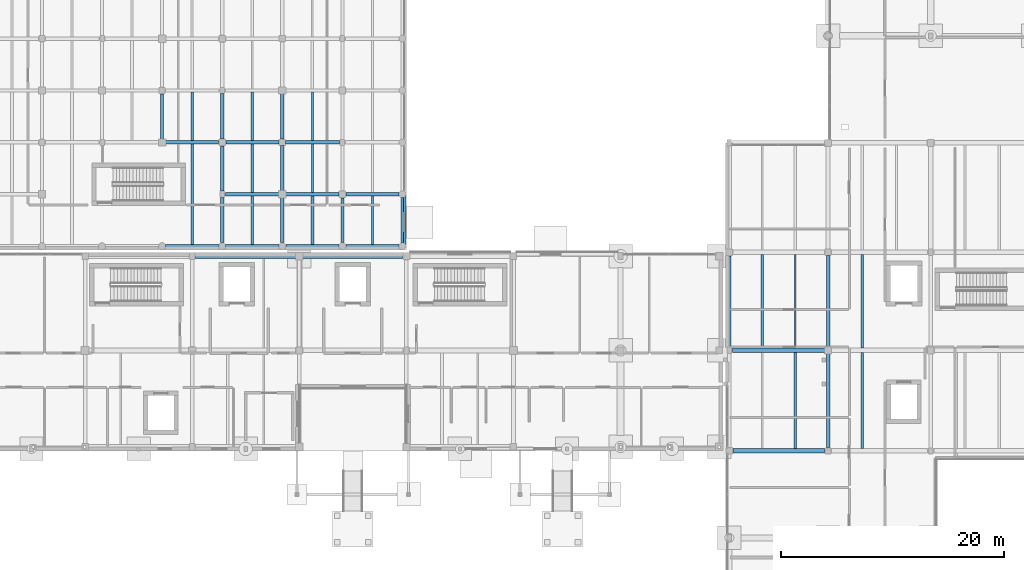
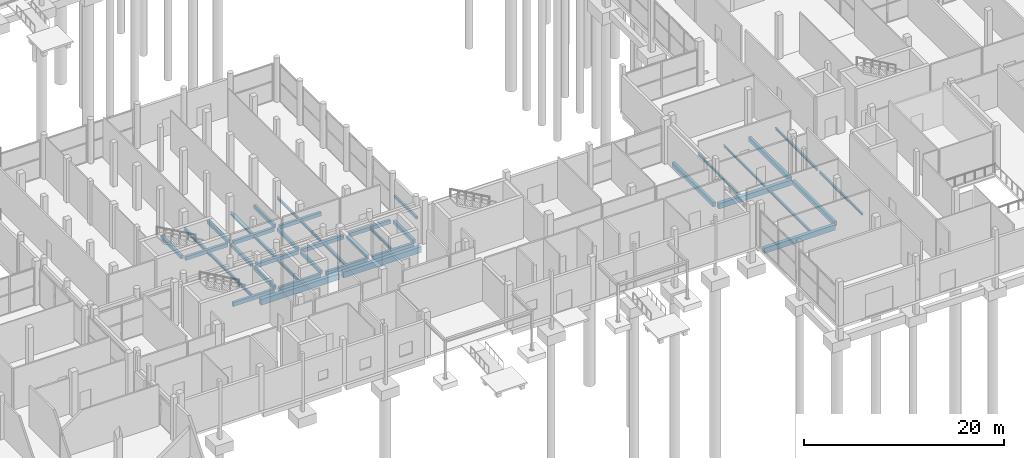
# One storey, part 27 of 88: 41 beams.
"""IFC4 building model written with IfcOpenShell, lengths in metres."""

import ifcopenshell
import ifcopenshell.guid

model = None  # the IFC model being written
_history = None  # IfcOwnerHistory: only IFC2X3 demands one
_inside = {}  # id of a spatial element -> (the spatial element, [elements in it])
_under = {}  # id of a project, library or spatial element -> (it, [spatial elements below it])
_declared = {}  # id of a project -> (the project, [libraries it declares])
_typed = {}  # id of a type object -> (the type object, [elements of that type])
_made_of = {}  # id of a material, layer set ... -> (it, [elements and type objects made of it])


def new_model(schema):
    """Start an empty IFC model of exactly this schema.

    Asked for "IFC4X3", IfcOpenShell would pick the latest addendum, in which some entities
    have other attributes; the version numbers below select the first issue.
    IFC2X3 requires an IfcOwnerHistory on every rooted entity: one is made here for all.
    """
    global model, _history
    if schema == "IFC4X3":
        model = ifcopenshell.file(schema_version=(4, 3, 0, 0))
    else:
        model = ifcopenshell.file(schema=schema)
    _inside.clear()
    _under.clear()
    _declared.clear()
    _typed.clear()
    _made_of.clear()
    _history = None
    if model.schema == "IFC2X3":
        org = make("IfcOrganization", Name="unknown")
        user = make(
            "IfcPersonAndOrganization",
            ThePerson=make("IfcPerson", FamilyName="unknown"),
            TheOrganization=org,
        )
        app = make(
            "IfcApplication",
            ApplicationDeveloper=org,
            Version="unknown",
            ApplicationFullName="unknown",
            ApplicationIdentifier="unknown",
        )
        _history = make(
            "IfcOwnerHistory",
            OwningUser=user,
            OwningApplication=app,
            ChangeAction="ADDED",
            CreationDate=0,
        )
    return model


def make(cls, **values):
    """One entity of the class cls with the attributes given. An attribute that is None is left unset."""
    return model.create_entity(
        cls, **{name: value for name, value in values.items() if value is not None}
    )


def rooted(cls, **values):
    """An entity with a GlobalId (a new one), such as an element, a storey or a relation."""
    return make(cls, GlobalId=ifcopenshell.guid.new(), OwnerHistory=_history, **values)


def si_unit(unit_type, name, prefix=None):
    """IfcSIUnit, for example si_unit("LENGTHUNIT", "METRE", prefix="MILLI")."""
    return make("IfcSIUnit", UnitType=unit_type, Prefix=prefix, Name=name)


def assignment(units):
    """IfcUnitAssignment: the units of a project."""
    return None if units is None else make("IfcUnitAssignment", Units=units)


def point(xyz):
    """IfcCartesianPoint."""
    return None if xyz is None else make("IfcCartesianPoint", Coordinates=xyz)


def direction(xyz):
    """IfcDirection."""
    return None if xyz is None else make("IfcDirection", DirectionRatios=xyz)


def frame(location, z_axis=None, x_axis=None):
    """IfcAxis2Placement3D, a coordinate frame: its origin and axes. An axis left out is left unset."""
    return make(
        "IfcAxis2Placement3D",
        Location=point(location),
        Axis=direction(z_axis),
        RefDirection=direction(x_axis),
    )


def frame_2d(location, x_axis=None):
    """IfcAxis2Placement2D, a coordinate frame in the plane: its origin and x axis."""
    return make(
        "IfcAxis2Placement2D", Location=point(location), RefDirection=direction(x_axis)
    )


def origin():
    """The frame at (0, 0, 0) with its axes left unset."""
    return frame((0.0, 0.0, 0.0))


def origin_2d():
    """The frame at (0, 0) in the plane with its x axis left unset."""
    return frame_2d((0.0, 0.0))


def place(relative_to, where):
    """IfcLocalPlacement: puts the frame where relative to a parent placement (None: the world)."""
    return make(
        "IfcLocalPlacement", PlacementRelTo=relative_to, RelativePlacement=where
    )


def context(
    kind, dimensions, precision=None, world=None, true_north=None, identifier=None
):
    """IfcGeometricRepresentationContext, for example the 3D "Model" context."""
    return make(
        "IfcGeometricRepresentationContext",
        ContextIdentifier=identifier,
        ContextType=kind,
        CoordinateSpaceDimension=dimensions,
        Precision=precision,
        WorldCoordinateSystem=world,
        TrueNorth=true_north,
    )


def subcontext(parent, identifier, kind, view, scale=None):
    """IfcGeometricRepresentationSubContext, for example "Body" below "Model"."""
    return make(
        "IfcGeometricRepresentationSubContext",
        ContextIdentifier=identifier,
        ContextType=kind,
        ParentContext=parent,
        TargetScale=scale,
        TargetView=view,
    )


def project(units=None, contexts=None):
    """IfcProject with its units and contexts."""
    return rooted(
        "IfcProject",
        Name="project",
        RepresentationContexts=contexts,
        UnitsInContext=assignment(units),
    )


def spatial(cls, under=None, at=None, **own):
    """A site, building, storey or space (cls), placed at a placement, below another one or the project."""
    s = rooted(cls, ObjectPlacement=at, **own)
    if under is not None:
        _under.setdefault(under.id(), (under, []))[1].append(s)
    return s


def profile(cls, at=None, kind="AREA", **sizes):
    """A parametric profile (cls). Its sizes go by their IFC names, for example OverallWidth=200.0."""
    return make(cls, ProfileType=kind, Position=at, **sizes)


def rectangle(**sizes):
    """IfcRectangleProfileDef."""
    return profile("IfcRectangleProfileDef", **sizes)


def i_section(**sizes):
    """IfcIShapeProfileDef."""
    return profile("IfcIShapeProfileDef", **sizes)


def extrude(swept, where, along, depth):
    """IfcExtrudedAreaSolid: the profile swept, set in the frame where, extruded along a direction by depth."""
    return make(
        "IfcExtrudedAreaSolid",
        SweptArea=swept,
        Position=where,
        ExtrudedDirection=direction(along),
        Depth=depth,
    )


def shape(context_of_items, identifier, shape_type, items):
    """IfcShapeRepresentation: the items that make up one representation, for example the "Body"."""
    return make(
        "IfcShapeRepresentation",
        ContextOfItems=context_of_items,
        RepresentationIdentifier=identifier,
        RepresentationType=shape_type,
        Items=items,
    )


def material(Name=None, Category=None):
    """IfcMaterial."""
    return make("IfcMaterial", Name=Name, Category=Category)


def material_profile(
    of_material, cross_section, Name=None, Category=None, Priority=None
):
    """IfcMaterialProfile: a cross section and its material."""
    return make(
        "IfcMaterialProfile",
        Name=Name,
        Material=of_material,
        Profile=cross_section,
        Priority=Priority,
        Category=Category,
    )


def profile_set(profiles, Name=None, composite=None):
    """IfcMaterialProfileSet."""
    return make(
        "IfcMaterialProfileSet",
        Name=Name,
        MaterialProfiles=profiles,
        CompositeProfile=composite,
    )


def made_of(thing, what):
    """Note that an element or type object is made of a material, layer set ...; save() writes the relation."""
    if what is not None:
        _made_of.setdefault(what.id(), (what, []))[1].append(thing)
    return thing


def type_object(cls, material=None, **own):
    """A type object (cls), such as IfcWallType, which elements share."""
    return made_of(rooted(cls, **own), material)


def element(
    cls,
    number,
    at=None,
    inside=None,
    cuts=None,
    type_object=None,
    material=None,
    context=None,
    identifier="Body",
    shape_type=None,
    held_by="IfcProductDefinitionShape",
    body=None,
    shapes=None,
    **own,
):
    """One element of the class cls, such as IfcWall. Its Tag is "e" and its number.

    at: its placement. inside: the storey or other place that contains it. cuts: it is an
    opening in that element (IfcRelVoidsElement). A single representation is given by context,
    identifier, shape_type and body (its items); several are given by shapes. held_by: the class
    of the entity that holds the representations. save() writes the other relations.
    """
    e = rooted(cls, Tag="e%d" % number, ObjectPlacement=at, **own)
    if body is not None:
        shapes = [shape(context, identifier, shape_type, body)]
    if shapes is not None:
        e.Representation = make(held_by, Representations=shapes)
    if inside is not None:
        _inside.setdefault(inside.id(), (inside, []))[1].append(e)
    if cuts is not None:
        rooted(
            "IfcRelVoidsElement", RelatingBuildingElement=cuts, RelatedOpeningElement=e
        )
    if type_object is not None:
        _typed.setdefault(type_object.id(), (type_object, []))[1].append(e)
    return made_of(e, material)


def aggregate(whole, parts):
    """IfcRelAggregates: a whole, such as a stair, and the parts it consists of."""
    return rooted("IfcRelAggregates", RelatingObject=whole, RelatedObjects=parts)


def save(model, path):
    """Write the relations noted so far, then the file.

    IfcRelAggregates (storeys below a building ...), IfcRelContainedInSpatialStructure (elements
    in a storey), IfcRelDefinesByType, IfcRelAssociatesMaterial and IfcRelDeclares: one each for
    every whole, place, type object, material and project.
    """
    for whole, parts in _under.values():
        aggregate(whole, parts)
    for where, things in _inside.values():
        rooted(
            "IfcRelContainedInSpatialStructure",
            RelatedElements=things,
            RelatingStructure=where,
        )
    for kind, things in _typed.values():
        rooted("IfcRelDefinesByType", RelatedObjects=things, RelatingType=kind)
    for what, things in _made_of.values():
        rooted("IfcRelAssociatesMaterial", RelatedObjects=things, RelatingMaterial=what)
    for by, libraries in _declared.values():
        rooted("IfcRelDeclares", RelatingContext=by, RelatedDefinitions=libraries)
    model.write(path)


model = new_model("IFC4")

# Units and contexts
model_context = context("Model", 3, precision=1e-05, world=origin(), true_north=direction((0.0, 1.0)))
body_context = subcontext(model_context, "Body", "Model", "MODEL_VIEW")
ifc_project = project(units=[si_unit("LENGTHUNIT", "METRE"), si_unit("AREAUNIT", "SQUARE_METRE"), si_unit("VOLUMEUNIT", "CUBIC_METRE"), si_unit("PLANEANGLEUNIT", "RADIAN"), si_unit("MASSUNIT", "GRAM", prefix="KILO")], contexts=[model_context])

# Site, building, storey
site_placement = place(None, origin())
site = spatial("IfcSite", under=ifc_project, at=site_placement, CompositionType="ELEMENT")
building_placement = place(site_placement, origin())
building = spatial("IfcBuilding", under=site, at=building_placement, Name="Birchvale Park Specialist Clinic", CompositionType="ELEMENT")
storey_placement = place(building_placement, origin())
storey = spatial("IfcBuildingStorey", under=building, at=storey_placement, Name="L00", CompositionType="ELEMENT", Elevation=0.0)

# Beams
ifc_material_1 = material(Name="Concrete C40/50", Category="concrete")
ifc_material_profile_1 = material_profile(ifc_material_1, rectangle(XDim=0.419921875, YDim=0.719970703125, at=origin_2d()), Name="RCB-420x720")
ifc_profile_set_1 = profile_set([ifc_material_profile_1], Name="Concrete C40/50")
beam_type_1 = type_object("IfcBeamType", Name="BM-EXT-BG3", PredefinedType="BEAM", material=ifc_profile_set_1)
beam_1_placement = place(storey_placement, frame((71.2900390625, 34.25, -0.639892578125), z_axis=(1.0, 0.0, 0.0), x_axis=(0.0, 1.0, 0.0)))
element("IfcBeam", 1, at=beam_1_placement, inside=storey, type_object=beam_type_1, Name="V4 L00 X girder 9", PredefinedType="BEAM", context=body_context, shape_type="SweptSolid", body=[
    extrude(rectangle(XDim=0.419921875, YDim=0.719970703125, at=origin_2d()), origin(), (0.0, 0.0, 1.0), 9.074951171875),
])
beam_2_placement = place(storey_placement, frame((80.8349609375, 34.25, -0.639892578125), z_axis=(1.0, 0.0, 0.0), x_axis=(0.0, 1.0, 0.0)))
element("IfcBeam", 2, at=beam_2_placement, inside=storey, type_object=beam_type_1, Name="V4 L00 X girder 10", PredefinedType="BEAM", context=body_context, shape_type="SweptSolid", body=[
    extrude(rectangle(XDim=0.419921875, YDim=0.719970703125, at=origin_2d()), origin(), (0.0, 0.0, 1.0), 9.025146484375),
])
ifc_material_profile_2 = material_profile(ifc_material_1, rectangle(XDim=0.320068359375, YDim=0.5400390625, at=origin_2d()), Name="RCB-320x540")
ifc_profile_set_2 = profile_set([ifc_material_profile_2], Name="Concrete C40/50")
beam_type_2 = type_object("IfcBeamType", Name="BM-EXT-BG7", PredefinedType="BEAM", material=ifc_profile_set_2)
beam_3_placement = place(storey_placement, frame((119.14990234375, 26.06494140625, -0.570068359375), z_axis=(0.0, 1.0, 0.0), x_axis=(-1.0, 0.0, 0.0)))
element("IfcBeam", 3, at=beam_3_placement, inside=storey, type_object=beam_type_2, Name="V5 L00 Y girder 22", PredefinedType="BEAM", context=body_context, shape_type="SweptSolid", body=[
    extrude(rectangle(XDim=0.320068359375, YDim=0.5400390625, at=origin_2d()), origin(), (0.0, 0.0, 1.0), 8.219970703125),
])
beam_4_placement = place(storey_placement, frame((128.0, 17.10009765625, -0.570068359375), z_axis=(0.0, 1.0, 0.0), x_axis=(-1.0, 0.0, 0.0)))
element("IfcBeam", 4, at=beam_4_placement, inside=storey, type_object=beam_type_2, Name="V5 L00 Y girder 24", PredefinedType="BEAM", context=body_context, shape_type="SweptSolid", body=[
    extrude(rectangle(XDim=0.320068359375, YDim=0.5400390625, at=origin_2d()), origin(), (0.0, 0.0, 1.0), 8.4248046875),
])
beam_5_placement = place(storey_placement, frame((128.0, 26.074951171875, -0.570068359375), z_axis=(0.0, 1.0, 0.0), x_axis=(-1.0, 0.0, 0.0)))
element("IfcBeam", 5, at=beam_5_placement, inside=storey, type_object=beam_type_2, Name="V5 L00 Y girder 25", PredefinedType="BEAM", context=body_context, shape_type="SweptSolid", body=[
    extrude(rectangle(XDim=0.320068359375, YDim=0.5400390625, at=origin_2d()), origin(), (0.0, 0.0, 1.0), 8.22509765625),
])
ifc_material_profile_3 = material_profile(ifc_material_1, rectangle(XDim=0.300048828125, YDim=0.489990234375, at=origin_2d()), Name="RCB-300x490")
ifc_profile_set_3 = profile_set([ifc_material_profile_3], Name="Concrete C40/50")
beam_type_3 = type_object("IfcBeamType", Name="BM-EXT-BG8", PredefinedType="BEAM", material=ifc_profile_set_3)
for number, where, z_axis, x_axis, name in (
    (6, (68.6171875, 35.14990234375, -0.56494140625), (1.0, 0.0, 0.0), (0.0, 1.0, 0.0), "V1 L00 X girder 4"),
    (7, (74.0029296875, 35.14990234375, -0.56494140625), (1.0, 0.0, 0.0), (0.0, 1.0, 0.0), "V1 L00 X girder 5"),
    (8, (79.388671875, 35.14990234375, -0.56494140625), (1.0, 0.0, 0.0), (0.0, 1.0, 0.0), "V1 L00 X girder 6"),
    (9, (84.7744140625, 35.14990234375, -0.56494140625), (1.0, 0.0, 0.0), (0.0, 1.0, 0.0), "V1 L00 X girder 7"),
):
    element("IfcBeam", number, at=place(storey_placement, frame(where, z_axis=z_axis, x_axis=x_axis)), inside=storey, type_object=beam_type_3, Name=name, PredefinedType="BEAM", context=body_context, shape_type="SweptSolid", body=[
        extrude(rectangle(XDim=0.300048828125, YDim=0.489990234375, at=origin_2d()), origin(), (0.0, 0.0, 1.0), 4.765625),
    ])
ifc_material_profile_4 = material_profile(ifc_material_1, rectangle(XDim=0.280029296875, YDim=0.43994140625, at=origin_2d()), Name="RCB-280x440")
ifc_profile_set_4 = profile_set([ifc_material_profile_4], Name="Concrete C40/50")
beam_type_4 = type_object("IfcBeamType", Name="BM-EXT-BG9", PredefinedType="BEAM", material=ifc_profile_set_4)
beam_6_placement = place(storey_placement, frame((89.85009765625, 35.4599609375, -0.5400390625), z_axis=(0.0, 1.0, 0.0), x_axis=(-1.0, 0.0, 0.0)))
element("IfcBeam", 10, at=beam_6_placement, inside=storey, type_object=beam_type_4, Name="V1 L00 Y girder 85", PredefinedType="BEAM", context=body_context, shape_type="SweptSolid", body=[
    extrude(rectangle(XDim=0.280029296875, YDim=0.43994140625, at=origin_2d()), origin(), (0.0, 0.0, 1.0), 4.030029296875),
])
ifc_material_profile_5 = material_profile(ifc_material_1, rectangle(XDim=0.39990234375, YDim=0.64990234375, at=origin_2d()), Name="RCB-400x650")
ifc_profile_set_5 = profile_set([ifc_material_profile_5], Name="Concrete C40/50")
beam_type_5 = type_object("IfcBeamType", Name="BM-INT-BG4", PredefinedType="BEAM", material=ifc_profile_set_5)
beam_7_placement = place(storey_placement, frame((119.465087890625, 16.800048828125, -0.625), z_axis=(1.0, 0.0, 0.0), x_axis=(0.0, 1.0, 0.0)))
element("IfcBeam", 11, at=beam_7_placement, inside=storey, type_object=beam_type_5, Name="V5 L00 X girder 1", PredefinedType="BEAM", context=body_context, shape_type="SweptSolid", body=[
    extrude(rectangle(XDim=0.39990234375, YDim=0.64990234375, at=origin_2d()), origin(), (0.0, 0.0, 1.0), 8.23486328125),
])
beam_8_placement = place(storey_placement, frame((119.4150390625, 25.800048828125, -0.625), z_axis=(1.0, 0.0, 0.0), x_axis=(0.0, 1.0, 0.0)))
element("IfcBeam", 12, at=beam_8_placement, inside=storey, type_object=beam_type_5, Name="V5 L00 X girder 6", PredefinedType="BEAM", context=body_context, shape_type="SweptSolid", body=[
    extrude(rectangle(XDim=0.39990234375, YDim=0.64990234375, at=origin_2d()), origin(), (0.0, 0.0, 1.0), 8.385009765625),
])
ifc_material_profile_6 = material_profile(ifc_material_1, rectangle(XDim=0.300048828125, YDim=0.449951171875, at=origin_2d()), Name="RCB-300x450")
ifc_profile_set_6 = profile_set([ifc_material_profile_6], Name="Concrete C40/50")
beam_type_6 = type_object("IfcBeamType", Name="BM-INT-BG8", PredefinedType="BEAM", material=ifc_profile_set_6)
beam_9_placement = place(storey_placement, frame((73.968017578125, 39.800048828125, -0.544921875), z_axis=(1.0, 0.0, 0.0), x_axis=(0.0, 1.0, 0.0)))
element("IfcBeam", 13, at=beam_9_placement, inside=storey, type_object=beam_type_6, Name="V1 L00 X girder 9", PredefinedType="BEAM", context=body_context, shape_type="SweptSolid", body=[
    extrude(rectangle(XDim=0.300048828125, YDim=0.449951171875, at=origin_2d()), origin(), (0.0, 0.0, 1.0), 4.91064453125),
])
beam_10_placement = place(storey_placement, frame((79.278564453125, 39.800048828125, -0.544921875), z_axis=(1.0, 0.0, 0.0), x_axis=(0.0, 1.0, 0.0)))
element("IfcBeam", 14, at=beam_10_placement, inside=storey, type_object=beam_type_6, Name="V1 L00 X girder 10", PredefinedType="BEAM", context=body_context, shape_type="SweptSolid", body=[
    extrude(rectangle(XDim=0.300048828125, YDim=0.449951171875, at=origin_2d()), origin(), (0.0, 0.0, 1.0), 4.86083984375),
])
beam_11_placement = place(storey_placement, frame((84.789306640625, 39.800048828125, -0.544921875), z_axis=(1.0, 0.0, 0.0), x_axis=(0.0, 1.0, 0.0)))
element("IfcBeam", 15, at=beam_11_placement, inside=storey, type_object=beam_type_6, Name="V1 L00 X girder 11", PredefinedType="BEAM", context=body_context, shape_type="SweptSolid", body=[
    extrude(rectangle(XDim=0.300048828125, YDim=0.449951171875, at=origin_2d()), origin(), (0.0, 0.0, 1.0), 4.750732421875),
])
beam_12_placement = place(storey_placement, frame((68.507080078125, 44.449951171875, -0.544921875), z_axis=(1.0, 0.0, 0.0), x_axis=(0.0, 1.0, 0.0)))
element("IfcBeam", 16, at=beam_12_placement, inside=storey, type_object=beam_type_6, Name="V1 L00 X girder 15", PredefinedType="BEAM", context=body_context, shape_type="SweptSolid", body=[
    extrude(rectangle(XDim=0.300048828125, YDim=0.449951171875, at=origin_2d()), origin(), (0.0, 0.0, 1.0), 4.86083984375),
])
beam_13_placement = place(storey_placement, frame((74.017822265625, 44.449951171875, -0.544921875), z_axis=(1.0, 0.0, 0.0), x_axis=(0.0, 1.0, 0.0)))
element("IfcBeam", 17, at=beam_13_placement, inside=storey, type_object=beam_type_6, Name="V1 L00 X girder 16", PredefinedType="BEAM", context=body_context, shape_type="SweptSolid", body=[
    extrude(rectangle(XDim=0.300048828125, YDim=0.449951171875, at=origin_2d()), origin(), (0.0, 0.0, 1.0), 4.7607421875),
])
beam_14_placement = place(storey_placement, frame((79.378662109375, 44.449951171875, -0.544921875), z_axis=(1.0, 0.0, 0.0), x_axis=(0.0, 1.0, 0.0)))
element("IfcBeam", 18, at=beam_14_placement, inside=storey, type_object=beam_type_6, Name="V1 L00 X girder 17", PredefinedType="BEAM", context=body_context, shape_type="SweptSolid", body=[
    extrude(rectangle(XDim=0.300048828125, YDim=0.449951171875, at=origin_2d()), origin(), (0.0, 0.0, 1.0), 4.810546875),
])
ifc_material_profile_7 = material_profile(ifc_material_1, rectangle(XDim=0.280029296875, YDim=0.39990234375, at=origin_2d()), Name="RCB-280x400")
ifc_profile_set_7 = profile_set([ifc_material_profile_7], Name="Concrete C40/50")
beam_type_7 = type_object("IfcBeamType", Name="BM-INT-BG9", PredefinedType="BEAM", material=ifc_profile_set_7)
beam_15_placement = place(storey_placement, frame((68.30712890625, 44.72509765625, -0.52001953125), z_axis=(0.0, 1.0, 0.0), x_axis=(-1.0, 0.0, 0.0)))
element("IfcBeam", 19, at=beam_15_placement, inside=storey, type_object=beam_type_7, Name="V1 L00 Y girder 63", PredefinedType="BEAM", context=body_context, shape_type="SweptSolid", body=[
    extrude(rectangle(XDim=0.280029296875, YDim=0.39990234375, at=origin_2d()), origin(), (0.0, 0.0, 1.0), 4.074951171875),
])
beam_16_placement = place(storey_placement, frame((73.69287109375, 35.4599609375, -0.52001953125), z_axis=(0.0, 1.0, 0.0), x_axis=(-1.0, 0.0, 0.0)))
element("IfcBeam", 20, at=beam_16_placement, inside=storey, type_object=beam_type_7, Name="V1 L00 Y girder 67", PredefinedType="BEAM", context=body_context, shape_type="SweptSolid", body=[
    extrude(rectangle(XDim=0.280029296875, YDim=0.39990234375, at=origin_2d()), origin(), (0.0, 0.0, 1.0), 4.06494140625),
])
for number, where, z_axis, x_axis, name in (
    (21, (73.69287109375, 40.074951171875, -0.52001953125), (0.0, 1.0, 0.0), (-1.0, 0.0, 0.0), "V1 L00 Y girder 68"),
    (22, (73.69287109375, 44.77490234375, -0.52001953125), (0.0, 1.0, 0.0), (-1.0, 0.0, 0.0), "V1 L00 Y girder 69"),
):
    element("IfcBeam", number, at=place(storey_placement, frame(where, z_axis=z_axis, x_axis=x_axis)), inside=storey, type_object=beam_type_7, Name=name, PredefinedType="BEAM", context=body_context, shape_type="SweptSolid", body=[
        extrude(rectangle(XDim=0.280029296875, YDim=0.39990234375, at=origin_2d()), origin(), (0.0, 0.0, 1.0), 4.050048828125),
    ])
beam_17_placement = place(storey_placement, frame((79.07861328125, 35.4599609375, -0.52001953125), z_axis=(0.0, 1.0, 0.0), x_axis=(-1.0, 0.0, 0.0)))
element("IfcBeam", 23, at=beam_17_placement, inside=storey, type_object=beam_type_7, Name="V1 L00 Y girder 73", PredefinedType="BEAM", context=body_context, shape_type="SweptSolid", body=[
    extrude(rectangle(XDim=0.280029296875, YDim=0.39990234375, at=origin_2d()), origin(), (0.0, 0.0, 1.0), 4.06494140625),
])
for number, where, z_axis, x_axis, name in (
    (24, (79.07861328125, 40.074951171875, -0.52001953125), (0.0, 1.0, 0.0), (-1.0, 0.0, 0.0), "V1 L00 Y girder 74"),
    (25, (79.07861328125, 44.75, -0.52001953125), (0.0, 1.0, 0.0), (-1.0, 0.0, 0.0), "V1 L00 Y girder 75"),
):
    element("IfcBeam", number, at=place(storey_placement, frame(where, z_axis=z_axis, x_axis=x_axis)), inside=storey, type_object=beam_type_7, Name=name, PredefinedType="BEAM", context=body_context, shape_type="SweptSolid", body=[
        extrude(rectangle(XDim=0.280029296875, YDim=0.39990234375, at=origin_2d()), origin(), (0.0, 0.0, 1.0), 4.074951171875),
    ])
beam_18_placement = place(storey_placement, frame((84.46435546875, 35.4599609375, -0.52001953125), z_axis=(0.0, 1.0, 0.0), x_axis=(-1.0, 0.0, 0.0)))
element("IfcBeam", 26, at=beam_18_placement, inside=storey, type_object=beam_type_7, Name="V1 L00 Y girder 79", PredefinedType="BEAM", context=body_context, shape_type="SweptSolid", body=[
    extrude(rectangle(XDim=0.280029296875, YDim=0.39990234375, at=origin_2d()), origin(), (0.0, 0.0, 1.0), 4.01513671875),
])
ifc_material_profile_8 = material_profile(ifc_material_1, rectangle(XDim=0.219970703125, YDim=0.300048828125, at=origin_2d()), Name="LNT-220x300")
ifc_profile_set_8 = profile_set([ifc_material_profile_8], Name="Concrete C40/50")
beam_type_8 = type_object("IfcBeamType", Name="LNT-EXT-LN2", PredefinedType="LINTEL", material=ifc_profile_set_8)
beam_19_placement = place(storey_placement, frame((90.034912109375, 35.27490234375, 2.419921875), z_axis=(0.0, 1.0, 0.0), x_axis=(-1.0, 0.0, 0.0)))
element("IfcBeam", 27, at=beam_19_placement, inside=storey, type_object=beam_type_8, Name="V1 L00 exit opening lintel 1", PredefinedType="LINTEL", context=body_context, shape_type="SweptSolid", body=[
    extrude(rectangle(XDim=0.219970703125, YDim=0.300048828125, at=origin_2d()), origin(), (0.0, 0.0, 1.0), 4.400146484375),
])
ifc_material_2 = material(Name="Steel ASTM A992 Grade 50", Category="steel")
ifc_material_profile_9 = material_profile(ifc_material_2, i_section(OverallWidth=0.2041015625, OverallDepth=0.35107421875, WebThickness=0.008544921875, FlangeThickness=0.01513671875, at=origin_2d()), Name="W14X48")
ifc_profile_set_9 = profile_set([ifc_material_profile_9], Name="Steel ASTM A992 Grade 50")
beam_type_9 = type_object("IfcBeamType", Name="STL-INT-SJ1", PredefinedType="JOIST", material=ifc_profile_set_9)
beam_20_placement = place(storey_placement, frame((71.0, 35.300048828125, -0.49560546875), z_axis=(0.0, 1.0, 0.0), x_axis=(-1.0, 0.0, 0.0)))
element("IfcBeam", 28, at=beam_20_placement, inside=storey, type_object=beam_type_9, Name="V1 L00 secondary floor joist 16", PredefinedType="JOIST", context=body_context, shape_type="SweptSolid", body=[
    extrude(i_section(OverallWidth=0.2041015625, OverallDepth=0.35107421875, WebThickness=0.008544921875, FlangeThickness=0.01513671875, at=origin_2d()), origin(), (0.0, 0.0, 1.0), 9.0),
])
for number, where, z_axis, x_axis, name in (
    (29, (71.0, 44.60009765625, -0.49560546875), (0.0, 1.0, 0.0), (-1.0, 0.0, 0.0), "V1 L00 secondary floor joist 17"),
    (30, (76.3857421875, 35.300048828125, -0.49560546875), (0.0, 1.0, 0.0), (-1.0, 0.0, 0.0), "V1 L00 secondary floor joist 21"),
):
    element("IfcBeam", number, at=place(storey_placement, frame(where, z_axis=z_axis, x_axis=x_axis)), inside=storey, type_object=beam_type_9, Name=name, PredefinedType="JOIST", context=body_context, shape_type="SweptSolid", body=[
        extrude(i_section(OverallWidth=0.2041015625, OverallDepth=0.35107421875, WebThickness=0.008544921875, FlangeThickness=0.01513671875, at=origin_2d()), origin(), (0.0, 0.0, 1.0), 4.349853515625),
    ])
ifc_material_profile_10 = material_profile(ifc_material_2, i_section(OverallWidth=0.25390625, OverallDepth=0.305908203125, WebThickness=0.0087890625, FlangeThickness=0.0146484375, at=origin_2d()), Name="W12X53")
ifc_profile_set_10 = profile_set([ifc_material_profile_10], Name="Steel ASTM A992 Grade 50")
beam_type_10 = type_object("IfcBeamType", Name="STL-INT-SJ2", PredefinedType="JOIST", material=ifc_profile_set_10)
beam_21_placement = place(storey_placement, frame((76.3857421875, 39.949951171875, -0.472900390625), z_axis=(0.0, 1.0, 0.0), x_axis=(-1.0, 0.0, 0.0)))
element("IfcBeam", 31, at=beam_21_placement, inside=storey, type_object=beam_type_10, Name="V1 L00 secondary floor joist 22", PredefinedType="JOIST", context=body_context, shape_type="SweptSolid", body=[
    extrude(i_section(OverallWidth=0.25390625, OverallDepth=0.305908203125, WebThickness=0.0087890625, FlangeThickness=0.0146484375, at=origin_2d()), origin(), (0.0, 0.0, 1.0), 4.35009765625),
])
for number, where, z_axis, x_axis, name in (
    (32, (76.3857421875, 44.60009765625, -0.472900390625), (0.0, 1.0, 0.0), (-1.0, 0.0, 0.0), "V1 L00 secondary floor joist 23"),
    (33, (81.771484375, 35.300048828125, -0.472900390625), (0.0, 1.0, 0.0), (-1.0, 0.0, 0.0), "V1 L00 secondary floor joist 27"),
):
    element("IfcBeam", number, at=place(storey_placement, frame(where, z_axis=z_axis, x_axis=x_axis)), inside=storey, type_object=beam_type_10, Name=name, PredefinedType="JOIST", context=body_context, shape_type="SweptSolid", body=[
        extrude(i_section(OverallWidth=0.25390625, OverallDepth=0.305908203125, WebThickness=0.0087890625, FlangeThickness=0.0146484375, at=origin_2d()), origin(), (0.0, 0.0, 1.0), 4.349853515625),
    ])
ifc_material_profile_11 = material_profile(ifc_material_2, i_section(OverallWidth=0.1669921875, OverallDepth=0.31689453125, WebThickness=0.007568359375, FlangeThickness=0.01318359375, at=origin_2d()), Name="W12X35")
ifc_profile_set_11 = profile_set([ifc_material_profile_11], Name="Steel ASTM A992 Grade 50")
beam_type_11 = type_object("IfcBeamType", Name="STL-INT-SJ3", PredefinedType="JOIST", material=ifc_profile_set_11)
beam_22_placement = place(storey_placement, frame((81.771484375, 39.949951171875, -0.478515625), z_axis=(0.0, 1.0, 0.0), x_axis=(-1.0, 0.0, 0.0)))
element("IfcBeam", 34, at=beam_22_placement, inside=storey, type_object=beam_type_11, Name="V1 L00 secondary floor joist 28", PredefinedType="JOIST", context=body_context, shape_type="SweptSolid", body=[
    extrude(i_section(OverallWidth=0.1669921875, OverallDepth=0.31689453125, WebThickness=0.007568359375, FlangeThickness=0.01318359375, at=origin_2d()), origin(), (0.0, 0.0, 1.0), 4.35009765625),
])
for number, where, z_axis, x_axis, name in (
    (35, (81.771484375, 44.60009765625, -0.478515625), (0.0, 1.0, 0.0), (-1.0, 0.0, 0.0), "V1 L00 secondary floor joist 29"),
    (36, (87.1572265625, 35.300048828125, -0.478515625), (0.0, 1.0, 0.0), (-1.0, 0.0, 0.0), "V1 L00 secondary floor joist 33"),
):
    element("IfcBeam", number, at=place(storey_placement, frame(where, z_axis=z_axis, x_axis=x_axis)), inside=storey, type_object=beam_type_11, Name=name, PredefinedType="JOIST", context=body_context, shape_type="SweptSolid", body=[
        extrude(i_section(OverallWidth=0.1669921875, OverallDepth=0.31689453125, WebThickness=0.007568359375, FlangeThickness=0.01318359375, at=origin_2d()), origin(), (0.0, 0.0, 1.0), 4.349853515625),
    ])
ifc_material_profile_12 = material_profile(ifc_material_2, i_section(OverallWidth=0.202880859375, OverallDepth=0.251953125, WebThickness=0.008056640625, FlangeThickness=0.013427734375, at=origin_2d()), Name="W10X39")
ifc_profile_set_12 = profile_set([ifc_material_profile_12], Name="Steel ASTM A992 Grade 50")
beam_type_12 = type_object("IfcBeamType", Name="STL-INT-SJ4", PredefinedType="JOIST", material=ifc_profile_set_12)
beam_23_placement = place(storey_placement, frame((125.050048828125, 17.0, -0.426025390625), z_axis=(0.0, 1.0, 0.0), x_axis=(-1.0, 0.0, 0.0)))
element("IfcBeam", 37, at=beam_23_placement, inside=storey, type_object=beam_type_12, Name="V5 L00 secondary floor joist 2", PredefinedType="JOIST", context=body_context, shape_type="SweptSolid", body=[
    extrude(i_section(OverallWidth=0.202880859375, OverallDepth=0.251953125, WebThickness=0.008056640625, FlangeThickness=0.013427734375, at=origin_2d()), origin(), (0.0, 0.0, 1.0), 8.60009765625),
])
beam_24_placement = place(storey_placement, frame((122.10009765625, 26.0, -0.426025390625), z_axis=(0.0, 1.0, 0.0), x_axis=(-1.0, 0.0, 0.0)))
element("IfcBeam", 38, at=beam_24_placement, inside=storey, type_object=beam_type_12, Name="V5 L00 secondary floor joist 3", PredefinedType="JOIST", context=body_context, shape_type="SweptSolid", body=[
    extrude(i_section(OverallWidth=0.202880859375, OverallDepth=0.251953125, WebThickness=0.008056640625, FlangeThickness=0.013427734375, at=origin_2d()), origin(), (0.0, 0.0, 1.0), 8.39990234375),
])
beam_25_placement = place(storey_placement, frame((131.066650390625, 17.0, -0.426025390625), z_axis=(0.0, 1.0, 0.0), x_axis=(-1.0, 0.0, 0.0)))
element("IfcBeam", 39, at=beam_25_placement, inside=storey, type_object=beam_type_12, Name="V5 L00 secondary floor joist 7", PredefinedType="JOIST", context=body_context, shape_type="SweptSolid", body=[
    extrude(i_section(OverallWidth=0.202880859375, OverallDepth=0.251953125, WebThickness=0.008056640625, FlangeThickness=0.013427734375, at=origin_2d()), origin(), (0.0, 0.0, 1.0), 8.60009765625),
])
beam_26_placement = place(storey_placement, frame((131.066650390625, 26.0, -0.426025390625), z_axis=(0.0, 1.0, 0.0), x_axis=(-1.0, 0.0, 0.0)))
element("IfcBeam", 40, at=beam_26_placement, inside=storey, type_object=beam_type_12, Name="V5 L00 secondary floor joist 8", PredefinedType="JOIST", context=body_context, shape_type="SweptSolid", body=[
    extrude(i_section(OverallWidth=0.202880859375, OverallDepth=0.251953125, WebThickness=0.008056640625, FlangeThickness=0.013427734375, at=origin_2d()), origin(), (0.0, 0.0, 1.0), 8.39990234375),
])
ifc_material_profile_13 = material_profile(ifc_material_2, i_section(OverallWidth=0.14697265625, OverallDepth=0.261962890625, WebThickness=0.006591796875, FlangeThickness=0.01123046875, at=origin_2d()), Name="W10X26")
ifc_profile_set_13 = profile_set([ifc_material_profile_13], Name="Steel ASTM A992 Grade 50")
beam_type_13 = type_object("IfcBeamType", Name="STL-INT-SJ5", PredefinedType="JOIST", material=ifc_profile_set_13)
beam_27_placement = place(storey_placement, frame((125.050048828125, 26.0, -0.430908203125), z_axis=(0.0, 1.0, 0.0), x_axis=(-1.0, 0.0, 0.0)))
element("IfcBeam", 41, at=beam_27_placement, inside=storey, type_object=beam_type_13, Name="V5 L00 secondary floor joist 4", PredefinedType="JOIST", context=body_context, shape_type="SweptSolid", body=[
    extrude(i_section(OverallWidth=0.14697265625, OverallDepth=0.261962890625, WebThickness=0.006591796875, FlangeThickness=0.01123046875, at=origin_2d()), origin(), (0.0, 0.0, 1.0), 8.39990234375),
])

save(model, "model.ifc")
